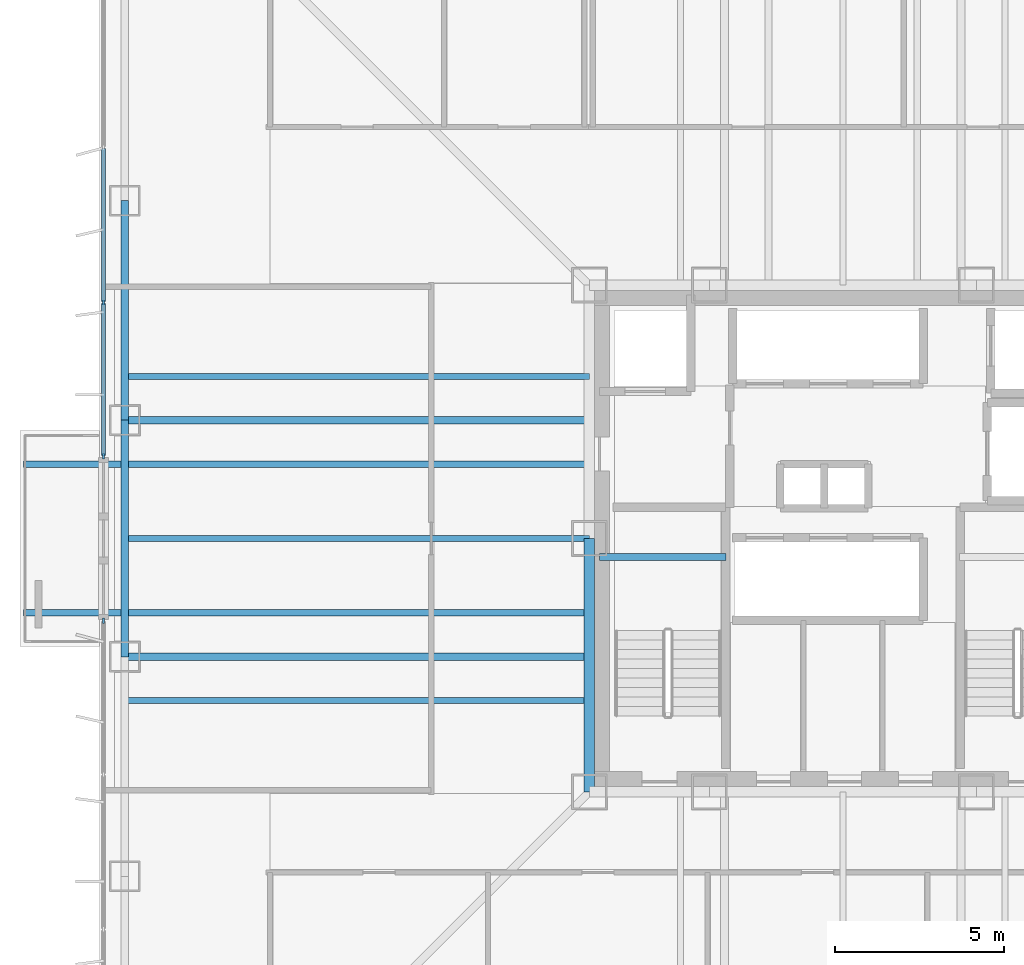
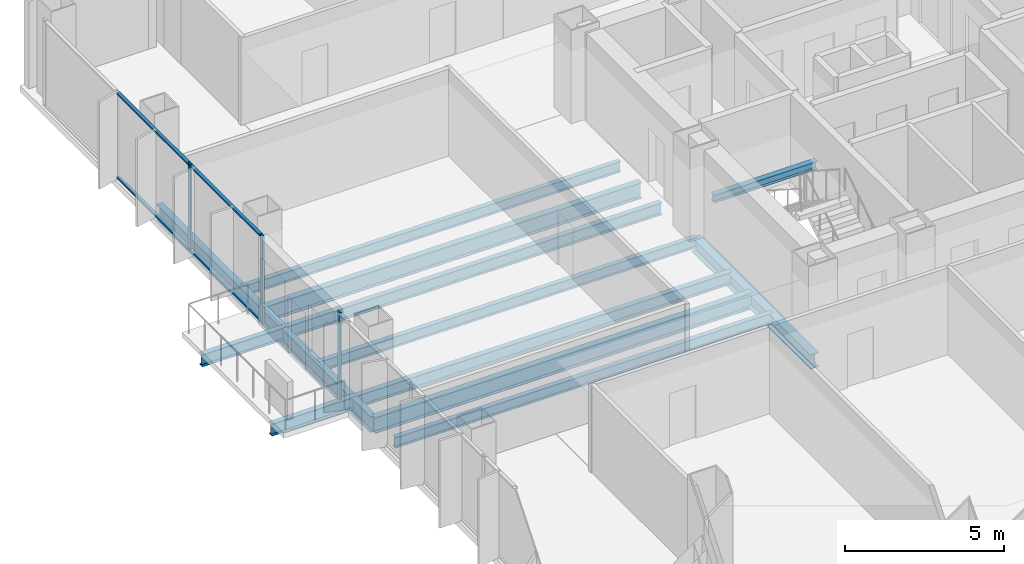
# One storey, part 4 of 15: 11 beams, 7 members, 2 elements without a shape of their own.
"""IFC4 building model written with IfcOpenShell, lengths in metres."""

from ifc_helpers import new_model, si_unit, direction, frame, origin, origin_2d, place, context, subcontext, project, spatial, rectangle, i_section, extrude, material, layer, layer_set, material_profile, profile_set, type_object, element, aggregate, save


model = new_model("IFC4")

# Units and contexts
model_context = context("Model", 3, precision=1e-05, world=origin(), true_north=direction((0.0, 1.0)))
body_context = subcontext(model_context, "Body", "Model", "MODEL_VIEW")
ifc_project = project(units=[si_unit("LENGTHUNIT", "METRE"), si_unit("AREAUNIT", "SQUARE_METRE"), si_unit("VOLUMEUNIT", "CUBIC_METRE"), si_unit("PLANEANGLEUNIT", "RADIAN"), si_unit("MASSUNIT", "GRAM", prefix="KILO")], contexts=[model_context])

# Site, building, storey
site_placement = place(None, origin())
site = spatial("IfcSite", under=ifc_project, at=site_placement, CompositionType="ELEMENT")
building_placement = place(site_placement, origin())
building = spatial("IfcBuilding", under=site, at=building_placement, Name="Trevonay Congress Spire", CompositionType="ELEMENT")
storey_placement = place(building_placement, frame((0.0, 0.0, 115.60009765625)))
storey = spatial("IfcBuildingStorey", under=building, at=storey_placement, Name="L29", CompositionType="ELEMENT", Elevation=115.60009765625)

# Beams
ifc_material_1 = material(Name="Steel ASTM A572 Grade 50", Category="steel")
ifc_material_profile_1 = material_profile(ifc_material_1, i_section(OverallWidth=0.194091796875, OverallDepth=0.468994140625, WebThickness=0.011474609375, FlangeThickness=0.01953125, FilletRadius=0.013916015625, at=origin_2d()), Name="W460x106")
ifc_profile_set_1 = profile_set([ifc_material_profile_1], Name="Steel ASTM A572 Grade 50")
beam_type_1 = type_object("IfcBeamType", Name="BM-BAL-LOOKOUT", PredefinedType="BEAM", material=ifc_profile_set_1)
for number, where, z_axis, x_axis, name in (
    (1, (-7.5, -2.199951171875, -0.474609375), (-1.0, 0.0, 0.0), (0.0, -1.0, 0.0), "L29 structural beam LKT-L29-W1"),
    (2, (-7.5, 2.199951171875, -0.474609375), (-1.0, 0.0, 0.0), (0.0, -1.0, 0.0), "L29 structural beam LKT-L29-W2"),
):
    element("IfcBeam", number, at=place(storey_placement, frame(where, z_axis=z_axis, x_axis=x_axis)), inside=storey, type_object=beam_type_1, Name=name, PredefinedType="BEAM", context=body_context, shape_type="SweptSolid", body=[
        extrude(i_section(OverallWidth=0.194091796875, OverallDepth=0.468994140625, WebThickness=0.011474609375, FlangeThickness=0.01953125, FilletRadius=0.013916015625, at=origin_2d()), origin(), (0.0, 0.0, 1.0), 16.75),
    ])
ifc_material_profile_2 = material_profile(ifc_material_1, i_section(OverallWidth=0.31201171875, OverallDepth=0.54296875, WebThickness=0.0126953125, FlangeThickness=0.020263671875, FilletRadius=0.014892578125, at=origin_2d()), Name="W530x150")
ifc_profile_set_2 = profile_set([ifc_material_profile_2], Name="Steel ASTM A572 Grade 50")
beam_type_2 = type_object("IfcBeamType", Name="BM-GIRD-W530X150", PredefinedType="BEAM", material=ifc_profile_set_2)
beam_1_placement = place(storey_placement, frame((-7.5, -7.5, -0.51171875), z_axis=(0.0, 1.0, 0.0), x_axis=(-1.0, 0.0, 0.0)))
element("IfcBeam", 3, at=beam_1_placement, inside=storey, type_object=beam_type_2, Name="L29 structural beam BM-L29-CR-W1", PredefinedType="BEAM", context=body_context, shape_type="SweptSolid", body=[
    extrude(i_section(OverallWidth=0.31201171875, OverallDepth=0.54296875, WebThickness=0.0126953125, FlangeThickness=0.020263671875, FilletRadius=0.014892578125, at=origin_2d()), origin(), (0.0, 0.0, 1.0), 7.5),
])
ifc_material_profile_3 = material_profile(ifc_material_1, i_section(OverallWidth=0.22998046875, OverallDepth=0.616943359375, WebThickness=0.01318359375, FlangeThickness=0.022216796875, FilletRadius=0.01611328125, at=origin_2d()), Name="W610x140")
ifc_profile_set_3 = profile_set([ifc_material_profile_3], Name="Steel ASTM A572 Grade 50")
beam_type_3 = type_object("IfcBeamType", Name="BM-GIRD-W610X140", PredefinedType="BEAM", material=ifc_profile_set_3)
for number, where, z_axis, x_axis, name in (
    (4, (-7.5, -3.5, -0.548583984375), (-1.0, 0.0, 0.0), (0.0, -1.0, 0.0), "L29 structural beam BM-L29-GW-M"),
    (5, (-7.5, 3.5, -0.548583984375), (-1.0, 0.0, 0.0), (0.0, -1.0, 0.0), "L29 structural beam BM-L29-GW-P"),
):
    element("IfcBeam", number, at=place(storey_placement, frame(where, z_axis=z_axis, x_axis=x_axis)), inside=storey, type_object=beam_type_3, Name=name, PredefinedType="BEAM", context=body_context, shape_type="SweptSolid", body=[
        extrude(i_section(OverallWidth=0.22998046875, OverallDepth=0.616943359375, WebThickness=0.01318359375, FlangeThickness=0.022216796875, FilletRadius=0.01611328125, at=origin_2d()), origin(), (0.0, 0.0, 1.0), 13.75),
    ])
ifc_material_profile_4 = material_profile(ifc_material_1, i_section(OverallWidth=0.22802734375, OverallDepth=0.60791015625, WebThickness=0.01123046875, FlangeThickness=0.017333984375, FilletRadius=0.01611328125, at=origin_2d()), Name="W610x113")
ifc_profile_set_4 = profile_set([ifc_material_profile_4], Name="Steel ASTM A572 Grade 50")
beam_type_4 = type_object("IfcBeamType", Name="BM-RING-W610X113", PredefinedType="BEAM", material=ifc_profile_set_4)
beam_2_placement = place(storey_placement, frame((-21.25, -3.5, -0.544189453125), z_axis=(0.0, 1.0, 0.0), x_axis=(-1.0, 0.0, 0.0)))
element("IfcBeam", 6, at=beam_2_placement, inside=storey, type_object=beam_type_4, Name="L29 structural beam BM-L29-PW3", PredefinedType="BEAM", context=body_context, shape_type="SweptSolid", body=[
    extrude(i_section(OverallWidth=0.22802734375, OverallDepth=0.60791015625, WebThickness=0.01123046875, FlangeThickness=0.017333984375, FilletRadius=0.01611328125, at=origin_2d()), origin(), (0.0, 0.0, 1.0), 7.0),
])
beam_3_placement = place(storey_placement, frame((-21.25, 3.5, -0.544189453125), z_axis=(0.0, 1.0, 0.0), x_axis=(-1.0, 0.0, 0.0)))
element("IfcBeam", 7, at=beam_3_placement, inside=storey, type_object=beam_type_4, Name="L29 structural beam BM-L29-PW4", PredefinedType="BEAM", context=body_context, shape_type="SweptSolid", body=[
    extrude(i_section(OverallWidth=0.22802734375, OverallDepth=0.60791015625, WebThickness=0.01123046875, FlangeThickness=0.017333984375, FilletRadius=0.01611328125, at=origin_2d()), origin(), (0.0, 0.0, 1.0), 6.5),
])

# Curtain wall, member
ifc_material_2 = material(Name="Pale Anodised Aluminium EN AW-6063-T6", Category="aluminium")
ifc_layer = layer(ifc_material_2, 0.175048828125, Name="Pale Anodised Aluminium EN AW-6063-T6")
ifc_layer_set = layer_set([ifc_layer], Name="Pale Anodised Aluminium EN AW-6063-T6")
curtain_wall_type = type_object("IfcCurtainWallType", Name="CW-SYS03-CONGRESS-PALE-METAL", PredefinedType="NOTDEFINED", material=ifc_layer_set)
curtain_wall_1_placement = place(storey_placement, origin())
curtain_wall_1 = element("IfcCurtainWall", 8, at=curtain_wall_1_placement, inside=storey, type_object=curtain_wall_type, Name="L29 WA unitised curtain wall", PredefinedType="NOTDEFINED")
ifc_material_profile_5 = material_profile(ifc_material_2, rectangle(XDim=0.06005859375, YDim=0.159912109375, at=origin_2d()), Name="CW-MULLION-160-ALUMINIUM")
ifc_profile_set_5 = profile_set([ifc_material_profile_5], Name="Pale Anodised Aluminium EN AW-6063-T6")
member_type_1 = type_object("IfcMemberType", Name="CW-MULLION-160-ALUMINIUM", PredefinedType="MULLION", material=ifc_profile_set_5)
member_1_placement = place(storey_placement, frame((-21.8798828125, -2.429931640625, 0.0), z_axis=(0.0, 0.0, 1.0), x_axis=(-1.0, 0.0, 0.0)))
member_1 = element("IfcMember", 9, at=member_1_placement, type_object=member_type_1, Name="CW03 mullion 4", PredefinedType="MULLION", context=body_context, shape_type="SweptSolid", body=[
    extrude(rectangle(XDim=0.06005859375, YDim=0.159912109375, at=origin_2d()), origin(), (0.0, 0.0, 1.0), 3.35986328125),
])
aggregate(curtain_wall_1, [member_1])

# Curtain wall, members
curtain_wall_2_placement = place(storey_placement, origin())
curtain_wall_2 = element("IfcCurtainWall", 10, at=curtain_wall_2_placement, inside=storey, type_object=curtain_wall_type, Name="L29 WB unitised curtain wall", PredefinedType="NOTDEFINED")
member_2_placement = place(storey_placement, frame((-21.8798828125, 2.429931640625, 0.0), z_axis=(0.0, 0.0, 1.0), x_axis=(-1.0, 0.0, 0.0)))
member_2 = element("IfcMember", 11, at=member_2_placement, type_object=member_type_1, Name="CW03 mullion 1", PredefinedType="MULLION", context=body_context, shape_type="SweptSolid", body=[
    extrude(rectangle(XDim=0.06005859375, YDim=0.159912109375, at=origin_2d()), origin(), (0.0, 0.0, 1.0), 3.35986328125),
])
member_3_placement = place(storey_placement, frame((-21.8798828125, 6.9833984375, 0.0), z_axis=(0.0, 0.0, 1.0), x_axis=(-1.0, 0.0, 0.0)))
member_3 = element("IfcMember", 12, at=member_3_placement, type_object=member_type_1, Name="CW03 mullion 2", PredefinedType="MULLION", context=body_context, shape_type="SweptSolid", body=[
    extrude(rectangle(XDim=0.06005859375, YDim=0.159912109375, at=origin_2d()), origin(), (0.0, 0.0, 1.0), 3.35986328125),
])
ifc_material_profile_6 = material_profile(ifc_material_2, rectangle(XDim=0.1201171875, YDim=0.06005859375, at=origin_2d()), Name="CW-TRANSOM-120-ALUMINIUM")
ifc_profile_set_6 = profile_set([ifc_material_profile_6], Name="Pale Anodised Aluminium EN AW-6063-T6")
member_type_2 = type_object("IfcMemberType", Name="CW-TRANSOM-120-ALUMINIUM", PredefinedType="USERDEFINED", material=ifc_profile_set_6)
member_4_placement = place(storey_placement, frame((-21.8798828125, 2.4599609375, 0.059814453125), z_axis=(0.0, 1.0, 0.0), x_axis=(-1.0, 0.0, 0.0)))
member_4 = element("IfcMember", 13, at=member_4_placement, type_object=member_type_2, Name="CW03 transom 1.1", ObjectType="TRANSOM", PredefinedType="USERDEFINED", context=body_context, shape_type="SweptSolid", body=[
    extrude(rectangle(XDim=0.1201171875, YDim=0.06005859375, at=origin_2d()), origin(), (0.0, 0.0, 1.0), 4.493408203125),
])
member_5_placement = place(storey_placement, frame((-21.8798828125, 2.4599609375, 3.2998046875), z_axis=(0.0, 1.0, 0.0), x_axis=(-1.0, 0.0, 0.0)))
member_5 = element("IfcMember", 14, at=member_5_placement, type_object=member_type_2, Name="CW03 transom 1.2", ObjectType="TRANSOM", PredefinedType="USERDEFINED", context=body_context, shape_type="SweptSolid", body=[
    extrude(rectangle(XDim=0.1201171875, YDim=0.06005859375, at=origin_2d()), origin(), (0.0, 0.0, 1.0), 4.493408203125),
])
member_6_placement = place(storey_placement, frame((-21.8798828125, 7.013427734375, 0.059814453125), z_axis=(0.0, 1.0, 0.0), x_axis=(-1.0, 0.0, 0.0)))
member_6 = element("IfcMember", 15, at=member_6_placement, type_object=member_type_2, Name="CW03 transom 2.1", ObjectType="TRANSOM", PredefinedType="USERDEFINED", context=body_context, shape_type="SweptSolid", body=[
    extrude(rectangle(XDim=0.1201171875, YDim=0.06005859375, at=origin_2d()), origin(), (0.0, 0.0, 1.0), 4.523193359375),
])
member_7_placement = place(storey_placement, frame((-21.8798828125, 7.013427734375, 3.2998046875), z_axis=(0.0, 1.0, 0.0), x_axis=(-1.0, 0.0, 0.0)))
member_7 = element("IfcMember", 16, at=member_7_placement, type_object=member_type_2, Name="CW03 transom 2.2", ObjectType="TRANSOM", PredefinedType="USERDEFINED", context=body_context, shape_type="SweptSolid", body=[
    extrude(rectangle(XDim=0.1201171875, YDim=0.06005859375, at=origin_2d()), origin(), (0.0, 0.0, 1.0), 4.523193359375),
])
aggregate(curtain_wall_2, [member_2, member_3, member_4, member_5, member_6, member_7])

# Beams
ifc_material_profile_7 = material_profile(ifc_material_1, i_section(OverallWidth=0.177978515625, OverallDepth=0.406982421875, WebThickness=0.0078125, FlangeThickness=0.0126953125, FilletRadius=0.012939453125, at=origin_2d()), Name="W410x60")
ifc_profile_set_7 = profile_set([ifc_material_profile_7], Name="Steel ASTM A572 Grade 50")
beam_type_5 = type_object("IfcBeamType", Name="JS-COMP-W410X60", PredefinedType="JOIST", material=ifc_profile_set_7)
for number, where, z_axis, x_axis, name in (
    (17, (-21.25, -4.800048828125, -0.443603515625), (1.0, 0.0, 0.0), (0.0, 1.0, 0.0), "L29 structural beam JS-L29-EW-W1"),
    (18, (-21.25, 0.0, -0.443603515625), (1.0, 0.0, 0.0), (0.0, 1.0, 0.0), "L29 structural beam JS-L29-EW-W2"),
    (19, (-21.25, 4.800048828125, -0.443603515625), (1.0, 0.0, 0.0), (0.0, 1.0, 0.0), "L29 structural beam JS-L29-EW-W3"),
):
    element("IfcBeam", number, at=place(storey_placement, frame(where, z_axis=z_axis, x_axis=x_axis)), inside=storey, type_object=beam_type_5, Name=name, PredefinedType="JOIST", context=body_context, shape_type="SweptSolid", body=[
        extrude(i_section(OverallWidth=0.177978515625, OverallDepth=0.406982421875, WebThickness=0.0078125, FlangeThickness=0.0126953125, FilletRadius=0.012939453125, at=origin_2d()), origin(), (0.0, 0.0, 1.0), 13.75),
    ])
ifc_material_profile_8 = material_profile(ifc_material_1, i_section(OverallWidth=0.2041015625, OverallDepth=0.305908203125, WebThickness=0.008544921875, FlangeThickness=0.0146484375, FilletRadius=0.010986328125, at=origin_2d()), Name="W310x67")
ifc_profile_set_8 = profile_set([ifc_material_profile_8], Name="Steel ASTM A572 Grade 50")
beam_type_6 = type_object("IfcBeamType", Name="LN-CORE-W310X67", PredefinedType="LINTEL", material=ifc_profile_set_8)
beam_4_placement = place(storey_placement, frame((-7.199951171875, -0.550048828125, 1.447021484375), z_axis=(1.0, 0.0, 0.0), x_axis=(0.0, 1.0, 0.0)))
element("IfcBeam", 20, at=beam_4_placement, inside=storey, type_object=beam_type_6, Name="L29 structural beam BM-L29-HL-ST1", PredefinedType="LINTEL", context=body_context, shape_type="SweptSolid", body=[
    extrude(i_section(OverallWidth=0.2041015625, OverallDepth=0.305908203125, WebThickness=0.008544921875, FlangeThickness=0.0146484375, FilletRadius=0.010986328125, at=origin_2d()), origin(), (0.0, 0.0, 1.0), 3.75),
])

save(model, "model.ifc")
